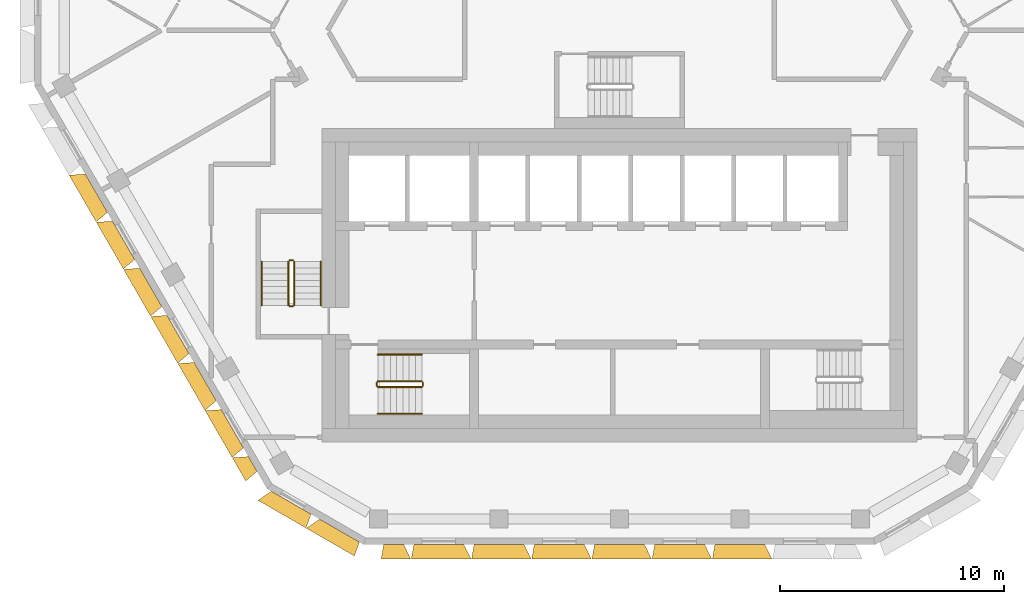
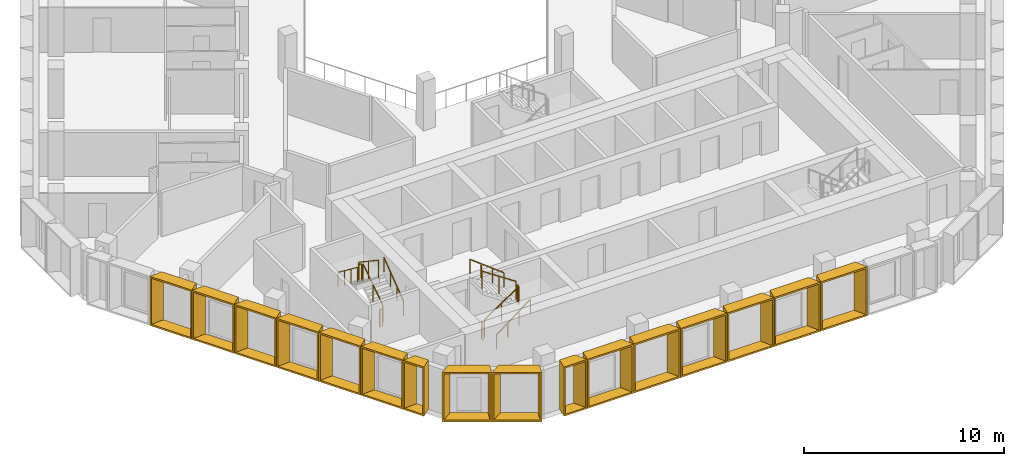
# One storey, part 10 of 14: 16 shading devices, 12 railings.
"""IFC4 building model written with IfcOpenShell, lengths in metres."""

import ifcopenshell
import ifcopenshell.guid

model = None  # the IFC model being written
_history = None  # IfcOwnerHistory: only IFC2X3 demands one
_inside = {}  # id of a spatial element -> (the spatial element, [elements in it])
_under = {}  # id of a project, library or spatial element -> (it, [spatial elements below it])
_declared = {}  # id of a project -> (the project, [libraries it declares])
_typed = {}  # id of a type object -> (the type object, [elements of that type])
_made_of = {}  # id of a material, layer set ... -> (it, [elements and type objects made of it])


def new_model(schema):
    """Start an empty IFC model of exactly this schema.

    Asked for "IFC4X3", IfcOpenShell would pick the latest addendum, in which some entities
    have other attributes; the version numbers below select the first issue.
    IFC2X3 requires an IfcOwnerHistory on every rooted entity: one is made here for all.
    """
    global model, _history
    if schema == "IFC4X3":
        model = ifcopenshell.file(schema_version=(4, 3, 0, 0))
    else:
        model = ifcopenshell.file(schema=schema)
    _inside.clear()
    _under.clear()
    _declared.clear()
    _typed.clear()
    _made_of.clear()
    _history = None
    if model.schema == "IFC2X3":
        org = make("IfcOrganization", Name="unknown")
        user = make(
            "IfcPersonAndOrganization",
            ThePerson=make("IfcPerson", FamilyName="unknown"),
            TheOrganization=org,
        )
        app = make(
            "IfcApplication",
            ApplicationDeveloper=org,
            Version="unknown",
            ApplicationFullName="unknown",
            ApplicationIdentifier="unknown",
        )
        _history = make(
            "IfcOwnerHistory",
            OwningUser=user,
            OwningApplication=app,
            ChangeAction="ADDED",
            CreationDate=0,
        )
    return model


def make(cls, **values):
    """One entity of the class cls with the attributes given. An attribute that is None is left unset."""
    return model.create_entity(
        cls, **{name: value for name, value in values.items() if value is not None}
    )


def entity(cls, *values):
    """Any entity or typed value of the class cls, its attributes in the order of the schema. None: left unset."""
    e = model.create_entity(cls)
    for i, value in enumerate(values):
        if value is not None:
            e[i] = value
    return e


def rooted(cls, **values):
    """An entity with a GlobalId (a new one), such as an element, a storey or a relation."""
    return make(cls, GlobalId=ifcopenshell.guid.new(), OwnerHistory=_history, **values)


def si_unit(unit_type, name, prefix=None):
    """IfcSIUnit, for example si_unit("LENGTHUNIT", "METRE", prefix="MILLI")."""
    return make("IfcSIUnit", UnitType=unit_type, Prefix=prefix, Name=name)


def assignment(units):
    """IfcUnitAssignment: the units of a project."""
    return None if units is None else make("IfcUnitAssignment", Units=units)


def point(xyz):
    """IfcCartesianPoint."""
    return None if xyz is None else make("IfcCartesianPoint", Coordinates=xyz)


def direction(xyz):
    """IfcDirection."""
    return None if xyz is None else make("IfcDirection", DirectionRatios=xyz)


def frame(location, z_axis=None, x_axis=None):
    """IfcAxis2Placement3D, a coordinate frame: its origin and axes. An axis left out is left unset."""
    return make(
        "IfcAxis2Placement3D",
        Location=point(location),
        Axis=direction(z_axis),
        RefDirection=direction(x_axis),
    )


def frame_2d(location, x_axis=None):
    """IfcAxis2Placement2D, a coordinate frame in the plane: its origin and x axis."""
    return make(
        "IfcAxis2Placement2D", Location=point(location), RefDirection=direction(x_axis)
    )


def origin():
    """The frame at (0, 0, 0) with its axes left unset."""
    return frame((0.0, 0.0, 0.0))


def origin_2d():
    """The frame at (0, 0) in the plane with its x axis left unset."""
    return frame_2d((0.0, 0.0))


def place(relative_to, where):
    """IfcLocalPlacement: puts the frame where relative to a parent placement (None: the world)."""
    return make(
        "IfcLocalPlacement", PlacementRelTo=relative_to, RelativePlacement=where
    )


def context(
    kind, dimensions, precision=None, world=None, true_north=None, identifier=None
):
    """IfcGeometricRepresentationContext, for example the 3D "Model" context."""
    return make(
        "IfcGeometricRepresentationContext",
        ContextIdentifier=identifier,
        ContextType=kind,
        CoordinateSpaceDimension=dimensions,
        Precision=precision,
        WorldCoordinateSystem=world,
        TrueNorth=true_north,
    )


def subcontext(parent, identifier, kind, view, scale=None):
    """IfcGeometricRepresentationSubContext, for example "Body" below "Model"."""
    return make(
        "IfcGeometricRepresentationSubContext",
        ContextIdentifier=identifier,
        ContextType=kind,
        ParentContext=parent,
        TargetScale=scale,
        TargetView=view,
    )


def project(units=None, contexts=None):
    """IfcProject with its units and contexts."""
    return rooted(
        "IfcProject",
        Name="project",
        RepresentationContexts=contexts,
        UnitsInContext=assignment(units),
    )


def spatial(cls, under=None, at=None, **own):
    """A site, building, storey or space (cls), placed at a placement, below another one or the project."""
    s = rooted(cls, ObjectPlacement=at, **own)
    if under is not None:
        _under.setdefault(under.id(), (under, []))[1].append(s)
    return s


def profile(cls, at=None, kind="AREA", **sizes):
    """A parametric profile (cls). Its sizes go by their IFC names, for example OverallWidth=200.0."""
    return make(cls, ProfileType=kind, Position=at, **sizes)


def rectangle(**sizes):
    """IfcRectangleProfileDef."""
    return profile("IfcRectangleProfileDef", **sizes)


def extrude(swept, where, along, depth):
    """IfcExtrudedAreaSolid: the profile swept, set in the frame where, extruded along a direction by depth."""
    return make(
        "IfcExtrudedAreaSolid",
        SweptArea=swept,
        Position=where,
        ExtrudedDirection=direction(along),
        Depth=depth,
    )


def shape(context_of_items, identifier, shape_type, items):
    """IfcShapeRepresentation: the items that make up one representation, for example the "Body"."""
    return make(
        "IfcShapeRepresentation",
        ContextOfItems=context_of_items,
        RepresentationIdentifier=identifier,
        RepresentationType=shape_type,
        Items=items,
    )


def source(mapping_origin, context_of_items, identifier, shape_type, items):
    """IfcRepresentationMap: a shape defined once, which mapped items show again and again."""
    return make(
        "IfcRepresentationMap",
        MappingOrigin=mapping_origin,
        MappedRepresentation=shape(context_of_items, identifier, shape_type, items),
    )


def transform(
    local_origin,
    x_axis=None,
    y_axis=None,
    z_axis=None,
    scale=None,
    scale2=None,
    scale3=None,
    uniform=True,
):
    """IfcCartesianTransformationOperator3D, or its non-uniform kind. x_axis, y_axis, z_axis: its Axis1, 2, 3."""
    if uniform:
        return make(
            "IfcCartesianTransformationOperator3D",
            Axis1=direction(x_axis),
            Axis2=direction(y_axis),
            LocalOrigin=point(local_origin),
            Scale=scale,
            Axis3=direction(z_axis),
        )
    return make(
        "IfcCartesianTransformationOperator3DnonUniform",
        Axis1=direction(x_axis),
        Axis2=direction(y_axis),
        LocalOrigin=point(local_origin),
        Scale=scale,
        Axis3=direction(z_axis),
        Scale2=scale2,
        Scale3=scale3,
    )


def mapped(mapping_source, mapping_target):
    """IfcMappedItem: shows the shape of a source again, moved by a transform."""
    return make(
        "IfcMappedItem", MappingSource=mapping_source, MappingTarget=mapping_target
    )


def material(Name=None, Category=None):
    """IfcMaterial."""
    return make("IfcMaterial", Name=Name, Category=Category)


def made_of(thing, what):
    """Note that an element or type object is made of a material, layer set ...; save() writes the relation."""
    if what is not None:
        _made_of.setdefault(what.id(), (what, []))[1].append(thing)
    return thing


def type_object(cls, material=None, **own):
    """A type object (cls), such as IfcWallType, which elements share."""
    return made_of(rooted(cls, **own), material)


def type_shapes(of_type, sources):
    """Give a type object the sources (RepresentationMaps) that its elements show as mapped items."""
    of_type.RepresentationMaps = sources


def element(
    cls,
    number,
    at=None,
    inside=None,
    cuts=None,
    type_object=None,
    material=None,
    context=None,
    identifier="Body",
    shape_type=None,
    held_by="IfcProductDefinitionShape",
    body=None,
    shapes=None,
    **own,
):
    """One element of the class cls, such as IfcWall. Its Tag is "e" and its number.

    at: its placement. inside: the storey or other place that contains it. cuts: it is an
    opening in that element (IfcRelVoidsElement). A single representation is given by context,
    identifier, shape_type and body (its items); several are given by shapes. held_by: the class
    of the entity that holds the representations. save() writes the other relations.
    """
    e = rooted(cls, Tag="e%d" % number, ObjectPlacement=at, **own)
    if body is not None:
        shapes = [shape(context, identifier, shape_type, body)]
    if shapes is not None:
        e.Representation = make(held_by, Representations=shapes)
    if inside is not None:
        _inside.setdefault(inside.id(), (inside, []))[1].append(e)
    if cuts is not None:
        rooted(
            "IfcRelVoidsElement", RelatingBuildingElement=cuts, RelatedOpeningElement=e
        )
    if type_object is not None:
        _typed.setdefault(type_object.id(), (type_object, []))[1].append(e)
    return made_of(e, material)


def aggregate(whole, parts):
    """IfcRelAggregates: a whole, such as a stair, and the parts it consists of."""
    return rooted("IfcRelAggregates", RelatingObject=whole, RelatedObjects=parts)


def save(model, path):
    """Write the relations noted so far, then the file.

    IfcRelAggregates (storeys below a building ...), IfcRelContainedInSpatialStructure (elements
    in a storey), IfcRelDefinesByType, IfcRelAssociatesMaterial and IfcRelDeclares: one each for
    every whole, place, type object, material and project.
    """
    for whole, parts in _under.values():
        aggregate(whole, parts)
    for where, things in _inside.values():
        rooted(
            "IfcRelContainedInSpatialStructure",
            RelatedElements=things,
            RelatingStructure=where,
        )
    for kind, things in _typed.values():
        rooted("IfcRelDefinesByType", RelatedObjects=things, RelatingType=kind)
    for what, things in _made_of.values():
        rooted("IfcRelAssociatesMaterial", RelatedObjects=things, RelatingMaterial=what)
    for by, libraries in _declared.values():
        rooted("IfcRelDeclares", RelatingContext=by, RelatedDefinitions=libraries)
    model.write(path)


model = new_model("IFC4")

# Units and contexts
model_context = context("Model", 3, precision=1e-05, world=origin(), true_north=direction((0.0, 1.0)))
body_context = subcontext(model_context, "Body", "Model", "MODEL_VIEW")
ifc_project = project(units=[si_unit("LENGTHUNIT", "METRE"), si_unit("AREAUNIT", "SQUARE_METRE"), si_unit("VOLUMEUNIT", "CUBIC_METRE"), si_unit("PLANEANGLEUNIT", "RADIAN"), si_unit("MASSUNIT", "GRAM", prefix="KILO")], contexts=[model_context])

# Site, building, storey
site_placement = place(None, origin())
site = spatial("IfcSite", under=ifc_project, at=site_placement, CompositionType="ELEMENT")
building_placement = place(site_placement, origin())
building = spatial("IfcBuilding", under=site, at=building_placement, Name="Beryl Residences", CompositionType="ELEMENT")
storey_placement = place(building_placement, frame((0.0, 0.0, 181.199951171875)))
storey = spatial("IfcBuildingStorey", under=building, at=storey_placement, Name="L55", CompositionType="ELEMENT", Elevation=181.199951171875)

# Shading devices
ifc_material_1 = material(Name="Aluminium pale anodised", Category="aluminium")
shading_device_type_1 = type_object("IfcShadingDeviceType", Name="FR122-65B OUTER SKIN frame 650 mm deep, splay 26/10 deg, 1220 x 3000 mm cell", PredefinedType="USERDEFINED", material=ifc_material_1)
cartesian_point_1 = entity("IfcCartesianPoint", [-0.384033203125, 0.0])
cartesian_point_2 = entity("IfcCartesianPoint", [-0.294921875, 0.10009765625])
cartesian_point_3 = entity("IfcCartesianPoint", [-0.700927734375, 0.0])
cartesian_point_4 = entity("IfcCartesianPoint", [-0.612060546875, 0.10009765625])
shared_shape_1 = source(origin(), body_context, "Body", "SweptSolid", [
    entity("IfcExtrudedAreaSolidTapered", entity("IfcArbitraryProfileDefWithVoids", "AREA", None, entity("IfcPolyline", [cartesian_point_1, entity("IfcCartesianPoint", [0.384033203125, 0.0]), entity("IfcCartesianPoint", [0.384033203125, 3.0]), entity("IfcCartesianPoint", [-0.384033203125, 3.0]), cartesian_point_1]), [entity("IfcPolyline", [cartesian_point_2, entity("IfcCartesianPoint", [0.302734375, 0.10009765625]), entity("IfcCartesianPoint", [0.302734375, 2.89990234375]), entity("IfcCartesianPoint", [-0.294921875, 2.89990234375]), cartesian_point_2])]), entity("IfcAxis2Placement3D", entity("IfcCartesianPoint", [0.0, 0.0, 0.0]), entity("IfcDirection", [0.0, 1.0, 0.0]), entity("IfcDirection", [-1.0, 0.0, 0.0])), entity("IfcDirection", [0.0, 0.0, 1.0]), 0.64990234375, entity("IfcArbitraryProfileDefWithVoids", "AREA", None, entity("IfcPolyline", [cartesian_point_3, entity("IfcCartesianPoint", [0.49853515625, 0.0]), entity("IfcCartesianPoint", [0.49853515625, 3.0]), entity("IfcCartesianPoint", [-0.700927734375, 3.0]), cartesian_point_3]), [entity("IfcPolyline", [cartesian_point_4, entity("IfcCartesianPoint", [0.41748046875, 0.10009765625]), entity("IfcCartesianPoint", [0.41748046875, 2.89990234375]), entity("IfcCartesianPoint", [-0.612060546875, 2.89990234375]), cartesian_point_4])])),
])
type_shapes(shading_device_type_1, [shared_shape_1])
shading_device_1_placement = place(storey_placement, frame((-16.39794921875, -19.9970703125, 0.0), z_axis=(0.0, 0.0, 1.0), x_axis=(-0.5, 0.866025403784, 0.0)))
element("IfcShadingDevice", 1, at=shading_device_1_placement, inside=storey, type_object=shading_device_type_1, Name="FR122-65B frame L55 SW 9", ObjectType="OUTER SKIN", PredefinedType="USERDEFINED", context=body_context, shape_type="MappedRepresentation", body=[
    mapped(shared_shape_1, transform((0.0, 0.0, 0.0))),
])
ifc_material_2 = material(Name="Aluminium pale anodised", Category="aluminium")
shading_device_type_2 = type_object("IfcShadingDeviceType", Name="FR135-65C OUTER SKIN frame 650 mm deep, splay 10/26 deg, 1350 x 3000 mm cell", PredefinedType="USERDEFINED", material=ifc_material_2)
cartesian_point_5 = entity("IfcCartesianPoint", [-0.448974609375, 0.0])
cartesian_point_6 = entity("IfcCartesianPoint", [-0.36767578125, 0.10009765625])
cartesian_point_7 = entity("IfcCartesianPoint", [-0.563720703125, 0.0])
cartesian_point_8 = entity("IfcCartesianPoint", [-0.482421875, 0.10009765625])
shared_shape_2 = source(origin(), body_context, "Body", "SweptSolid", [
    entity("IfcExtrudedAreaSolidTapered", entity("IfcArbitraryProfileDefWithVoids", "AREA", None, entity("IfcPolyline", [cartesian_point_5, entity("IfcCartesianPoint", [0.448974609375, 0.0]), entity("IfcCartesianPoint", [0.448974609375, 3.0]), entity("IfcCartesianPoint", [-0.448974609375, 3.0]), cartesian_point_5]), [entity("IfcPolyline", [cartesian_point_6, entity("IfcCartesianPoint", [0.360107421875, 0.10009765625]), entity("IfcCartesianPoint", [0.360107421875, 2.89990234375]), entity("IfcCartesianPoint", [-0.36767578125, 2.89990234375]), cartesian_point_6])]), entity("IfcAxis2Placement3D", entity("IfcCartesianPoint", [0.0, 0.0, 0.0]), entity("IfcDirection", [0.0, 1.0, 0.0]), entity("IfcDirection", [-1.0, 0.0, 0.0])), entity("IfcDirection", [0.0, 0.0, 1.0]), 0.64990234375, entity("IfcArbitraryProfileDefWithVoids", "AREA", None, entity("IfcPolyline", [cartesian_point_7, entity("IfcCartesianPoint", [0.76611328125, 0.0]), entity("IfcCartesianPoint", [0.76611328125, 3.0]), entity("IfcCartesianPoint", [-0.563720703125, 3.0]), cartesian_point_7]), [entity("IfcPolyline", [cartesian_point_8, entity("IfcCartesianPoint", [0.677001953125, 0.10009765625]), entity("IfcCartesianPoint", [0.677001953125, 2.89990234375]), entity("IfcCartesianPoint", [-0.482421875, 2.89990234375]), cartesian_point_8])])),
])
type_shapes(shading_device_type_2, [shared_shape_2])
shading_device_2_placement = place(storey_placement, frame((-10.093994140625, -23.60009765625, 0.0), z_axis=(0.0, 0.0, 1.0), x_axis=(-1.0, 0.0, 0.0)))
element("IfcShadingDevice", 2, at=shading_device_2_placement, inside=storey, type_object=shading_device_type_2, Name="FR135-65C frame L55 S 1", ObjectType="OUTER SKIN", PredefinedType="USERDEFINED", context=body_context, shape_type="MappedRepresentation", body=[
    mapped(shared_shape_2, transform((0.0, 0.0, 0.0))),
])
ifc_material_3 = material(Name="Aluminium pale anodised", Category="aluminium")
shading_device_type_3 = type_object("IfcShadingDeviceType", Name="FR243-65B OUTER SKIN frame 650 mm deep, splay 26/10 deg, 2430 x 3000 mm cell", PredefinedType="USERDEFINED", material=ifc_material_3)
cartesian_point_9 = entity("IfcCartesianPoint", [-0.989013671875, 0.0])
cartesian_point_10 = entity("IfcCartesianPoint", [-0.89990234375, 0.10009765625])
cartesian_point_11 = entity("IfcCartesianPoint", [-1.305908203125, 0.0])
cartesian_point_12 = entity("IfcCartesianPoint", [-1.217041015625, 0.10009765625])
shared_shape_3 = source(origin(), body_context, "Body", "SweptSolid", [
    entity("IfcExtrudedAreaSolidTapered", entity("IfcArbitraryProfileDefWithVoids", "AREA", None, entity("IfcPolyline", [cartesian_point_9, entity("IfcCartesianPoint", [0.989013671875, 0.0]), entity("IfcCartesianPoint", [0.989013671875, 3.0]), entity("IfcCartesianPoint", [-0.989013671875, 3.0]), cartesian_point_9]), [entity("IfcPolyline", [cartesian_point_10, entity("IfcCartesianPoint", [0.90771484375, 0.10009765625]), entity("IfcCartesianPoint", [0.90771484375, 2.89990234375]), entity("IfcCartesianPoint", [-0.89990234375, 2.89990234375]), cartesian_point_10])]), entity("IfcAxis2Placement3D", entity("IfcCartesianPoint", [0.0, 0.0, 0.0]), entity("IfcDirection", [0.0, 1.0, 0.0]), entity("IfcDirection", [-1.0, 0.0, 0.0])), entity("IfcDirection", [0.0, 0.0, 1.0]), 0.64990234375, entity("IfcArbitraryProfileDefWithVoids", "AREA", None, entity("IfcPolyline", [cartesian_point_11, entity("IfcCartesianPoint", [1.103515625, 0.0]), entity("IfcCartesianPoint", [1.103515625, 3.0]), entity("IfcCartesianPoint", [-1.305908203125, 3.0]), cartesian_point_11]), [entity("IfcPolyline", [cartesian_point_12, entity("IfcCartesianPoint", [1.0224609375, 0.10009765625]), entity("IfcCartesianPoint", [1.0224609375, 2.89990234375]), entity("IfcCartesianPoint", [-1.217041015625, 2.89990234375]), cartesian_point_12])])),
])
type_shapes(shading_device_type_3, [shared_shape_3])
for number, where, z_axis, x_axis, name in (
    (3, (-23.388916015625, -7.886962890625, 0.0), (0.0, 0.0, 1.0), (-0.5, 0.866025403784, 0.0), "FR243-65B frame L55 SW 3"),
    (4, (-22.173095703125, -9.992919921875, 0.0), (0.0, 0.0, 1.0), (-0.5, 0.866025403784, 0.0), "FR243-65B frame L55 SW 4"),
    (5, (-20.95703125, -12.09912109375, 0.0), (0.0, 0.0, 1.0), (-0.5, 0.866025403784, 0.0), "FR243-65B frame L55 SW 5"),
    (6, (-19.741943359375, -14.205078125, 0.0), (0.0, 0.0, 1.0), (-0.5, 0.866025403784, 0.0), "FR243-65B frame L55 SW 6"),
    (7, (-18.52587890625, -16.31103515625, 0.0), (0.0, 0.0, 1.0), (-0.5, 0.866025403784, 0.0), "FR243-65B frame L55 SW 7"),
    (8, (-17.31005859375, -18.41796875, 0.0), (0.0, 0.0, 1.0), (-0.5, 0.866025403784, 0.0), "FR243-65B frame L55 SW 8"),
):
    element("IfcShadingDevice", number, at=place(storey_placement, frame(where, z_axis=z_axis, x_axis=x_axis)), inside=storey, type_object=shading_device_type_3, Name=name, ObjectType="OUTER SKIN", PredefinedType="USERDEFINED", context=body_context, shape_type="MappedRepresentation", body=[
        mapped(shared_shape_3, transform((0.0, 0.0, 0.0))),
    ])
ifc_material_4 = material(Name="Aluminium pale anodised", Category="aluminium")
shading_device_type_4 = type_object("IfcShadingDeviceType", Name="FR250-65B OUTER SKIN frame 650 mm deep, splay 26/10 deg, 2500 x 3000 mm cell", PredefinedType="USERDEFINED", material=ifc_material_4)
cartesian_point_13 = entity("IfcCartesianPoint", [-1.02392578125, 0.0])
cartesian_point_14 = entity("IfcCartesianPoint", [-0.93505859375, 0.10009765625])
cartesian_point_15 = entity("IfcCartesianPoint", [-1.341064453125, 0.0])
cartesian_point_16 = entity("IfcCartesianPoint", [-1.251953125, 0.10009765625])
shared_shape_4 = source(origin(), body_context, "Body", "SweptSolid", [
    entity("IfcExtrudedAreaSolidTapered", entity("IfcArbitraryProfileDefWithVoids", "AREA", None, entity("IfcPolyline", [cartesian_point_13, entity("IfcCartesianPoint", [1.02392578125, 0.0]), entity("IfcCartesianPoint", [1.02392578125, 3.0]), entity("IfcCartesianPoint", [-1.02392578125, 3.0]), cartesian_point_13]), [entity("IfcPolyline", [cartesian_point_14, entity("IfcCartesianPoint", [0.94287109375, 0.10009765625]), entity("IfcCartesianPoint", [0.94287109375, 2.89990234375]), entity("IfcCartesianPoint", [-0.93505859375, 2.89990234375]), cartesian_point_14])]), entity("IfcAxis2Placement3D", entity("IfcCartesianPoint", [0.0, 0.0, 0.0]), entity("IfcDirection", [0.0, 1.0, 0.0]), entity("IfcDirection", [-1.0, 0.0, 0.0])), entity("IfcDirection", [0.0, 0.0, 1.0]), 0.64990234375, entity("IfcArbitraryProfileDefWithVoids", "AREA", None, entity("IfcPolyline", [cartesian_point_15, entity("IfcCartesianPoint", [1.138671875, 0.0]), entity("IfcCartesianPoint", [1.138671875, 3.0]), entity("IfcCartesianPoint", [-1.341064453125, 3.0]), cartesian_point_15]), [entity("IfcPolyline", [cartesian_point_16, entity("IfcCartesianPoint", [1.057373046875, 0.10009765625]), entity("IfcCartesianPoint", [1.057373046875, 2.89990234375]), entity("IfcCartesianPoint", [-1.251953125, 2.89990234375]), cartesian_point_16])])),
])
type_shapes(shading_device_type_4, [shared_shape_4])
for number, where, z_axis, x_axis, name in (
    (9, (-14.677978515625, -21.72509765625, 0.0), (0.0, 0.0, 1.0), (-0.866025403784, 0.5, 0.0), "FR250-65B frame L55 SW-S 1"),
    (10, (-12.513916015625, -22.97509765625, 0.0), (0.0, 0.0, 1.0), (-0.866025403784, 0.5, 0.0), "FR250-65B frame L55 SW-S 2"),
):
    element("IfcShadingDevice", number, at=place(storey_placement, frame(where, z_axis=z_axis, x_axis=x_axis)), inside=storey, type_object=shading_device_type_4, Name=name, ObjectType="OUTER SKIN", PredefinedType="USERDEFINED", context=body_context, shape_type="MappedRepresentation", body=[
        mapped(shared_shape_4, transform((0.0, 0.0, 0.0))),
    ])
ifc_material_5 = material(Name="Aluminium pale anodised", Category="aluminium")
shading_device_type_5 = type_object("IfcShadingDeviceType", Name="FR269-65C OUTER SKIN frame 650 mm deep, splay 10/26 deg, 2690 x 3000 mm cell", PredefinedType="USERDEFINED", material=ifc_material_5)
cartesian_point_17 = entity("IfcCartesianPoint", [-1.118896484375, 0.0])
cartesian_point_18 = entity("IfcCartesianPoint", [-1.037841796875, 0.10009765625])
cartesian_point_19 = entity("IfcCartesianPoint", [-1.233642578125, 0.0])
cartesian_point_20 = entity("IfcCartesianPoint", [-1.15234375, 0.10009765625])
shared_shape_5 = source(origin(), body_context, "Body", "SweptSolid", [
    entity("IfcExtrudedAreaSolidTapered", entity("IfcArbitraryProfileDefWithVoids", "AREA", None, entity("IfcPolyline", [cartesian_point_17, entity("IfcCartesianPoint", [1.118896484375, 0.0]), entity("IfcCartesianPoint", [1.118896484375, 3.0]), entity("IfcCartesianPoint", [-1.118896484375, 3.0]), cartesian_point_17]), [entity("IfcPolyline", [cartesian_point_18, entity("IfcCartesianPoint", [1.030029296875, 0.10009765625]), entity("IfcCartesianPoint", [1.030029296875, 2.89990234375]), entity("IfcCartesianPoint", [-1.037841796875, 2.89990234375]), cartesian_point_18])]), entity("IfcAxis2Placement3D", entity("IfcCartesianPoint", [0.0, 0.0, 0.0]), entity("IfcDirection", [0.0, 1.0, 0.0]), entity("IfcDirection", [-1.0, 0.0, 0.0])), entity("IfcDirection", [0.0, 0.0, 1.0]), 0.64990234375, entity("IfcArbitraryProfileDefWithVoids", "AREA", None, entity("IfcPolyline", [cartesian_point_19, entity("IfcCartesianPoint", [1.43603515625, 0.0]), entity("IfcCartesianPoint", [1.43603515625, 3.0]), entity("IfcCartesianPoint", [-1.233642578125, 3.0]), cartesian_point_19]), [entity("IfcPolyline", [cartesian_point_20, entity("IfcCartesianPoint", [1.346923828125, 0.10009765625]), entity("IfcCartesianPoint", [1.346923828125, 2.89990234375]), entity("IfcCartesianPoint", [-1.15234375, 2.89990234375]), cartesian_point_20])])),
])
type_shapes(shading_device_type_5, [shared_shape_5])
for number, where, z_axis, x_axis, name in (
    (11, (-8.074951171875, -23.60009765625, 0.0), (0.0, 0.0, 1.0), (-1.0, 0.0, 0.0), "FR269-65C frame L55 S 2"),
    (12, (-5.383056640625, -23.60009765625, 0.0), (0.0, 0.0, 1.0), (-1.0, 0.0, 0.0), "FR269-65C frame L55 S 3"),
    (13, (-2.69091796875, -23.60009765625, 0.0), (0.0, 0.0, 1.0), (-1.0, 0.0, 0.0), "FR269-65C frame L55 S 4"),
    (14, (0.0009765625, -23.60009765625, 0.0), (0.0, 0.0, 1.0), (-1.0, 0.0, 0.0), "FR269-65C frame L55 S 5"),
    (15, (2.693115234375, -23.60009765625, 0.0), (0.0, 0.0, 1.0), (-1.0, 0.0, 0.0), "FR269-65C frame L55 S 6"),
    (16, (5.385009765625, -23.60009765625, 0.0), (0.0, 0.0, 1.0), (-1.0, 0.0, 0.0), "FR269-65C frame L55 S 7"),
):
    element("IfcShadingDevice", number, at=place(storey_placement, frame(where, z_axis=z_axis, x_axis=x_axis)), inside=storey, type_object=shading_device_type_5, Name=name, ObjectType="OUTER SKIN", PredefinedType="USERDEFINED", context=body_context, shape_type="MappedRepresentation", body=[
        mapped(shared_shape_5, transform((0.0, 0.0, 0.0))),
    ])

# Railings
ifc_material_6 = material(Name="Stainless steel balustrade with glass infill", Category="steel")
railing_type_1 = type_object("IfcRailingType", Name="SG1 stair guard 1100 mm", PredefinedType="GUARDRAIL", material=ifc_material_6)
railing_1_placement = place(storey_placement, frame((-10.800048828125, -16.550048828125, 0.1875)))
element("IfcRailing", 17, at=railing_1_placement, inside=storey, type_object=railing_type_1, Name="L55 ST-1 stair guard 1", PredefinedType="GUARDRAIL", context=body_context, shape_type="SweptSolid", body=[
    extrude(rectangle(XDim=0.048095703125, YDim=0.048095703125, at=origin_2d()), frame((0.0, 0.0, 1.076171875), z_axis=(0.830902050051, 0.0, 0.556418712142), x_axis=(0.0, 1.0, 0.0)), (0.0, 0.0, 1.0), 2.35888671875),
    extrude(rectangle(XDim=0.0419921875, YDim=0.0419921875, at=origin_2d()), origin(), (0.0, 0.0, 1.0), 1.052001953125),
    extrude(rectangle(XDim=0.0419921875, YDim=0.0419921875, at=origin_2d()), frame((0.97998046875, 0.0, 0.65625)), (0.0, 0.0, 1.0), 1.052001953125),
    extrude(rectangle(XDim=0.0419921875, YDim=0.0419921875, at=origin_2d()), frame((1.9599609375, 0.0, 1.3125)), (0.0, 0.0, 1.0), 1.052001953125),
])
railing_2_placement = place(storey_placement, frame((-8.7900390625, -16.5, 1.5)))
element("IfcRailing", 18, at=railing_2_placement, inside=storey, type_object=railing_type_1, Name="L55 ST-1 stair guard 2", PredefinedType="GUARDRAIL", context=body_context, shape_type="SweptSolid", body=[
    extrude(rectangle(XDim=0.048095703125, YDim=0.048095703125, at=origin_2d()), frame((0.0, 0.0, 1.076171875), z_axis=(0.0, 1.0, 0.0), x_axis=(-1.0, 0.0, 0.0)), (0.0, 0.0, 1.0), 0.14990234375),
    extrude(rectangle(XDim=0.0419921875, YDim=0.0419921875, at=origin_2d()), origin(), (0.0, 0.0, 1.0), 1.052001953125),
    extrude(rectangle(XDim=0.0419921875, YDim=0.0419921875, at=origin_2d()), frame((0.0, 0.14990234375, 0.0)), (0.0, 0.0, 1.0), 1.052001953125),
])
railing_3_placement = place(storey_placement, frame((-8.840087890625, -16.300048828125, 1.6875)))
element("IfcRailing", 19, at=railing_3_placement, inside=storey, type_object=railing_type_1, Name="L55 ST-1 stair guard 3", PredefinedType="GUARDRAIL", context=body_context, shape_type="SweptSolid", body=[
    extrude(rectangle(XDim=0.048095703125, YDim=0.048095703125, at=origin_2d()), frame((0.0, 0.0, 1.076171875), z_axis=(-0.830902050051, 0.0, 0.556418712142), x_axis=(0.0, -1.0, 0.0)), (0.0, 0.0, 1.0), 2.35888671875),
    extrude(rectangle(XDim=0.0419921875, YDim=0.0419921875, at=origin_2d()), origin(), (0.0, 0.0, 1.0), 1.052001953125),
    extrude(rectangle(XDim=0.0419921875, YDim=0.0419921875, at=origin_2d()), frame((-0.97998046875, 0.0, 0.65625)), (0.0, 0.0, 1.0), 1.052001953125),
    extrude(rectangle(XDim=0.0419921875, YDim=0.0419921875, at=origin_2d()), frame((-1.9599609375, 0.0, 1.3125)), (0.0, 0.0, 1.0), 1.052001953125),
])
railing_4_placement = place(storey_placement, frame((-10.85009765625, -16.5, 0.0)))
element("IfcRailing", 20, at=railing_4_placement, inside=storey, type_object=railing_type_1, Name="L55 ST-1 stair guard 4", PredefinedType="GUARDRAIL", context=body_context, shape_type="SweptSolid", body=[
    extrude(rectangle(XDim=0.048095703125, YDim=0.048095703125, at=origin_2d()), frame((0.0, 0.0, 1.076171875), z_axis=(0.0, 1.0, 0.0), x_axis=(-1.0, 0.0, 0.0)), (0.0, 0.0, 1.0), 0.14990234375),
    extrude(rectangle(XDim=0.0419921875, YDim=0.0419921875, at=origin_2d()), origin(), (0.0, 0.0, 1.0), 1.052001953125),
    extrude(rectangle(XDim=0.0419921875, YDim=0.0419921875, at=origin_2d()), frame((0.0, 0.14990234375, 0.0)), (0.0, 0.0, 1.0), 1.052001953125),
])
railing_5_placement = place(storey_placement, frame((-14.550048828125, -12.89990234375, 0.1875)))
element("IfcRailing", 21, at=railing_5_placement, inside=storey, type_object=railing_type_1, Name="L55 ST-2 stair guard 1", PredefinedType="GUARDRAIL", context=body_context, shape_type="SweptSolid", body=[
    extrude(rectangle(XDim=0.048095703125, YDim=0.048095703125, at=origin_2d()), frame((0.0, 0.0, 1.076171875), z_axis=(0.0, 0.830902050051, 0.556418712142), x_axis=(-1.0, 0.0, 0.0)), (0.0, 0.0, 1.0), 2.35888671875),
    extrude(rectangle(XDim=0.0419921875, YDim=0.0419921875, at=origin_2d()), origin(), (0.0, 0.0, 1.0), 1.052001953125),
    extrude(rectangle(XDim=0.0419921875, YDim=0.0419921875, at=origin_2d()), frame((0.0, 0.97998046875, 0.65625)), (0.0, 0.0, 1.0), 1.052001953125),
    extrude(rectangle(XDim=0.0419921875, YDim=0.0419921875, at=origin_2d()), frame((0.0, 1.9599609375, 1.3125)), (0.0, 0.0, 1.0), 1.052001953125),
])
railing_6_placement = place(storey_placement, frame((-14.60009765625, -10.889892578125, 1.5)))
element("IfcRailing", 22, at=railing_6_placement, inside=storey, type_object=railing_type_1, Name="L55 ST-2 stair guard 2", PredefinedType="GUARDRAIL", context=body_context, shape_type="SweptSolid", body=[
    extrude(rectangle(XDim=0.048095703125, YDim=0.048095703125, at=origin_2d()), frame((0.0, 0.0, 1.076171875), z_axis=(-1.0, 0.0, 0.0), x_axis=(0.0, -1.0, 0.0)), (0.0, 0.0, 1.0), 0.14990234375),
    extrude(rectangle(XDim=0.0419921875, YDim=0.0419921875, at=origin_2d()), origin(), (0.0, 0.0, 1.0), 1.052001953125),
    extrude(rectangle(XDim=0.0419921875, YDim=0.0419921875, at=origin_2d()), frame((-0.14990234375, 0.0, 0.0)), (0.0, 0.0, 1.0), 1.052001953125),
])
railing_7_placement = place(storey_placement, frame((-14.800048828125, -10.93994140625, 1.6875)))
element("IfcRailing", 23, at=railing_7_placement, inside=storey, type_object=railing_type_1, Name="L55 ST-2 stair guard 3", PredefinedType="GUARDRAIL", context=body_context, shape_type="SweptSolid", body=[
    extrude(rectangle(XDim=0.048095703125, YDim=0.048095703125, at=origin_2d()), frame((0.0, 0.0, 1.076171875), z_axis=(0.0, -0.830902050051, 0.556418712142), x_axis=(1.0, 0.0, 0.0)), (0.0, 0.0, 1.0), 2.35888671875),
    extrude(rectangle(XDim=0.0419921875, YDim=0.0419921875, at=origin_2d()), origin(), (0.0, 0.0, 1.0), 1.052001953125),
    extrude(rectangle(XDim=0.0419921875, YDim=0.0419921875, at=origin_2d()), frame((0.0, -0.97998046875, 0.65625)), (0.0, 0.0, 1.0), 1.052001953125),
    extrude(rectangle(XDim=0.0419921875, YDim=0.0419921875, at=origin_2d()), frame((0.0, -1.9599609375, 1.3125)), (0.0, 0.0, 1.0), 1.052001953125),
])
railing_8_placement = place(storey_placement, frame((-14.60009765625, -12.949951171875, 0.0)))
element("IfcRailing", 24, at=railing_8_placement, inside=storey, type_object=railing_type_1, Name="L55 ST-2 stair guard 4", PredefinedType="GUARDRAIL", context=body_context, shape_type="SweptSolid", body=[
    extrude(rectangle(XDim=0.048095703125, YDim=0.048095703125, at=origin_2d()), frame((0.0, 0.0, 1.076171875), z_axis=(-1.0, 0.0, 0.0), x_axis=(0.0, -1.0, 0.0)), (0.0, 0.0, 1.0), 0.14990234375),
    extrude(rectangle(XDim=0.0419921875, YDim=0.0419921875, at=origin_2d()), origin(), (0.0, 0.0, 1.0), 1.052001953125),
    extrude(rectangle(XDim=0.0419921875, YDim=0.0419921875, at=origin_2d()), frame((-0.14990234375, 0.0, 0.0)), (0.0, 0.0, 1.0), 1.052001953125),
])
ifc_material_7 = material(Name="Stainless steel handrail", Category="steel")
railing_type_2 = type_object("IfcRailingType", Name="SRL1 stair handrail 900 mm", PredefinedType="HANDRAIL", material=ifc_material_7)
railing_9_placement = place(storey_placement, frame((-10.800048828125, -17.75, 0.1875)))
element("IfcRailing", 25, at=railing_9_placement, inside=storey, type_object=railing_type_2, Name="L55 ST-1 stair handrail 1", PredefinedType="HANDRAIL", context=body_context, shape_type="SweptSolid", body=[
    extrude(rectangle(XDim=0.048095703125, YDim=0.048095703125, at=origin_2d()), frame((0.0, 0.0, 0.8759765625), z_axis=(0.794121922505, 0.0, 0.607758481798), x_axis=(0.0, 1.0, 0.0)), (0.0, 0.0, 1.0), 2.468017578125),
    extrude(rectangle(XDim=0.0419921875, YDim=0.0419921875, at=origin_2d()), origin(), (0.0, 0.0, 1.0), 0.851806640625),
    extrude(rectangle(XDim=0.0419921875, YDim=0.0419921875, at=origin_2d()), frame((0.6533203125, 0.0, 0.5)), (0.0, 0.0, 1.0), 0.851806640625),
    extrude(rectangle(XDim=0.0419921875, YDim=0.0419921875, at=origin_2d()), frame((1.306640625, 0.0, 1.0)), (0.0, 0.0, 1.0), 0.851806640625),
    extrude(rectangle(XDim=0.0419921875, YDim=0.0419921875, at=origin_2d()), frame((1.9599609375, 0.0, 1.5)), (0.0, 0.0, 1.0), 0.851806640625),
])
railing_10_placement = place(storey_placement, frame((-8.840087890625, -15.10009765625, 1.6875)))
element("IfcRailing", 26, at=railing_10_placement, inside=storey, type_object=railing_type_2, Name="L55 ST-1 stair handrail 2", PredefinedType="HANDRAIL", context=body_context, shape_type="SweptSolid", body=[
    extrude(rectangle(XDim=0.048095703125, YDim=0.048095703125, at=origin_2d()), frame((0.0, 0.0, 0.8759765625), z_axis=(-0.794121922505, 0.0, 0.607758481798), x_axis=(0.0, -1.0, 0.0)), (0.0, 0.0, 1.0), 2.468017578125),
    extrude(rectangle(XDim=0.0419921875, YDim=0.0419921875, at=origin_2d()), origin(), (0.0, 0.0, 1.0), 0.851806640625),
    extrude(rectangle(XDim=0.0419921875, YDim=0.0419921875, at=origin_2d()), frame((-0.6533203125, 0.0, 0.5)), (0.0, 0.0, 1.0), 0.851806640625),
    extrude(rectangle(XDim=0.0419921875, YDim=0.0419921875, at=origin_2d()), frame((-1.306640625, 0.0, 1.0)), (0.0, 0.0, 1.0), 0.851806640625),
    extrude(rectangle(XDim=0.0419921875, YDim=0.0419921875, at=origin_2d()), frame((-1.9599609375, 0.0, 1.5)), (0.0, 0.0, 1.0), 0.851806640625),
])
railing_11_placement = place(storey_placement, frame((-13.35009765625, -12.89990234375, 0.1875)))
element("IfcRailing", 27, at=railing_11_placement, inside=storey, type_object=railing_type_2, Name="L55 ST-2 stair handrail 1", PredefinedType="HANDRAIL", context=body_context, shape_type="SweptSolid", body=[
    extrude(rectangle(XDim=0.048095703125, YDim=0.048095703125, at=origin_2d()), frame((0.0, 0.0, 0.8759765625), z_axis=(0.0, 0.794121922505, 0.607758481798), x_axis=(-1.0, 0.0, 0.0)), (0.0, 0.0, 1.0), 2.468017578125),
    extrude(rectangle(XDim=0.0419921875, YDim=0.0419921875, at=origin_2d()), origin(), (0.0, 0.0, 1.0), 0.851806640625),
    extrude(rectangle(XDim=0.0419921875, YDim=0.0419921875, at=origin_2d()), frame((0.0, 0.6533203125, 0.5)), (0.0, 0.0, 1.0), 0.851806640625),
    extrude(rectangle(XDim=0.0419921875, YDim=0.0419921875, at=origin_2d()), frame((0.0, 1.306640625, 1.0)), (0.0, 0.0, 1.0), 0.851806640625),
    extrude(rectangle(XDim=0.0419921875, YDim=0.0419921875, at=origin_2d()), frame((0.0, 1.9599609375, 1.5)), (0.0, 0.0, 1.0), 0.851806640625),
])
railing_12_placement = place(storey_placement, frame((-16.0, -10.93994140625, 1.6875)))
element("IfcRailing", 28, at=railing_12_placement, inside=storey, type_object=railing_type_2, Name="L55 ST-2 stair handrail 2", PredefinedType="HANDRAIL", context=body_context, shape_type="SweptSolid", body=[
    extrude(rectangle(XDim=0.048095703125, YDim=0.048095703125, at=origin_2d()), frame((0.0, 0.0, 0.8759765625), z_axis=(0.0, -0.794121922505, 0.607758481798), x_axis=(1.0, 0.0, 0.0)), (0.0, 0.0, 1.0), 2.468017578125),
    extrude(rectangle(XDim=0.0419921875, YDim=0.0419921875, at=origin_2d()), origin(), (0.0, 0.0, 1.0), 0.851806640625),
    extrude(rectangle(XDim=0.0419921875, YDim=0.0419921875, at=origin_2d()), frame((0.0, -0.6533203125, 0.5)), (0.0, 0.0, 1.0), 0.851806640625),
    extrude(rectangle(XDim=0.0419921875, YDim=0.0419921875, at=origin_2d()), frame((0.0, -1.306640625, 1.0)), (0.0, 0.0, 1.0), 0.851806640625),
    extrude(rectangle(XDim=0.0419921875, YDim=0.0419921875, at=origin_2d()), frame((0.0, -1.9599609375, 1.5)), (0.0, 0.0, 1.0), 0.851806640625),
])

save(model, "model.ifc")
